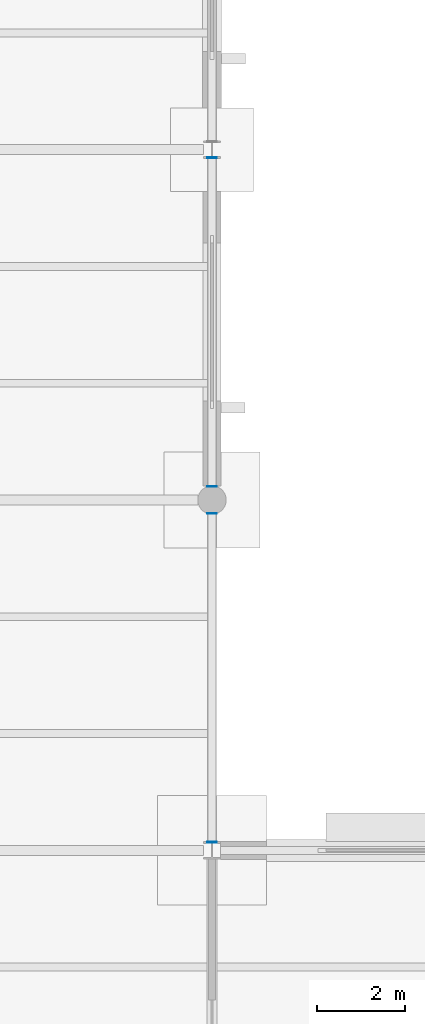
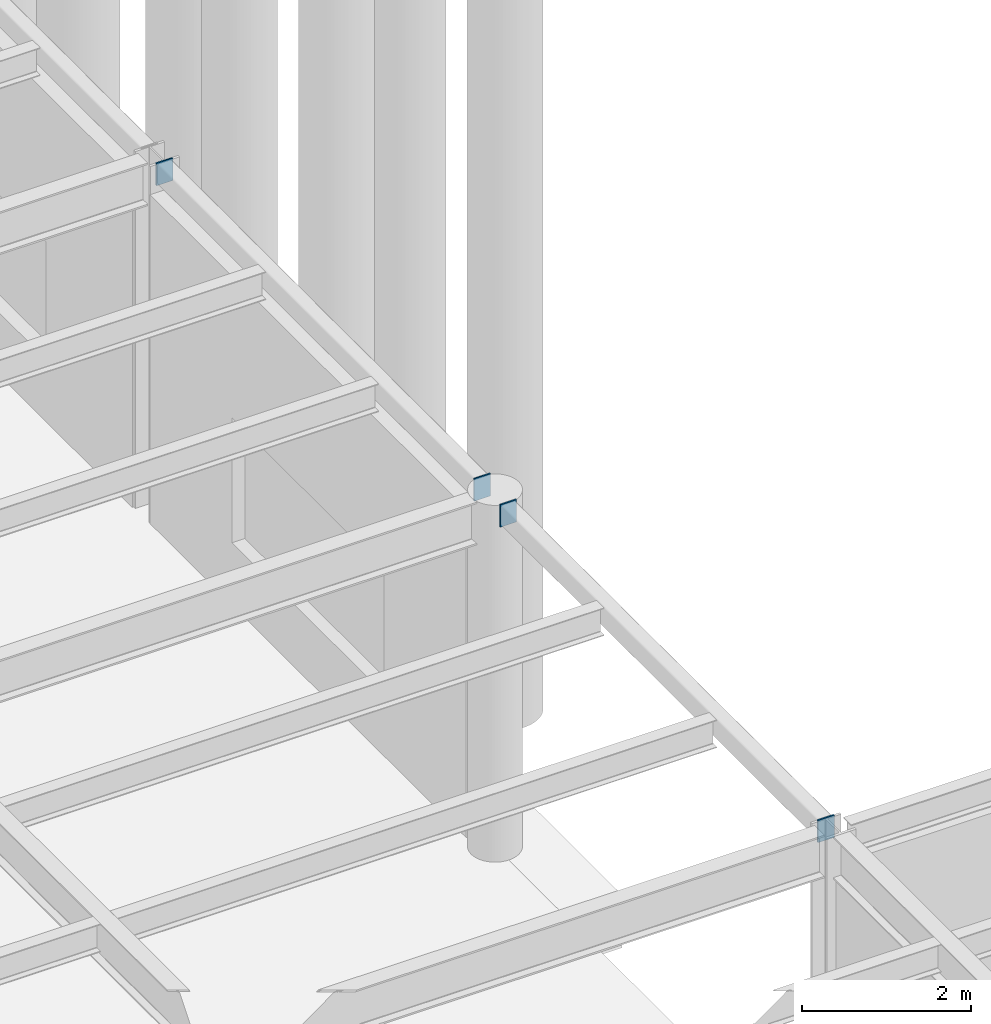
# One storey, part 115 of 138: 4 discrete accessories.
"""IFC4 building model written with IfcOpenShell, lengths in metres."""

from ifc_helpers import new_model, si_unit, direction, frame, origin, origin_2d, place, context, subcontext, project, spatial, rectangle, extrude, material, layer, layer_set, type_object, element, save


model = new_model("IFC4")

# Units and contexts
model_context = context("Model", 3, precision=1e-05, world=origin(), true_north=direction((0.0, 1.0)))
body_context = subcontext(model_context, "Body", "Model", "MODEL_VIEW")
ifc_project = project(units=[si_unit("LENGTHUNIT", "METRE"), si_unit("AREAUNIT", "SQUARE_METRE"), si_unit("VOLUMEUNIT", "CUBIC_METRE"), si_unit("PLANEANGLEUNIT", "RADIAN"), si_unit("MASSUNIT", "GRAM", prefix="KILO")], contexts=[model_context])

# Site, building, storey
site_placement = place(None, origin())
site = spatial("IfcSite", under=ifc_project, at=site_placement, CompositionType="ELEMENT")
building_placement = place(site_placement, origin())
building = spatial("IfcBuilding", under=site, at=building_placement, Name="Kranzveld Transit Interchange", CompositionType="ELEMENT")
storey_placement = place(building_placement, origin())
storey = spatial("IfcBuildingStorey", under=building, at=storey_placement, Name="L00", CompositionType="ELEMENT", Elevation=0.0)

# Discrete accessories
ifc_material = material(Name="Steel S355JR", Category="steel")
ifc_layer = layer(ifc_material, 0.02001953125)
ifc_layer_set = layer_set([ifc_layer], Name="Steel S355JR")
discrete_accessory_type = type_object("IfcDiscreteAccessoryType", Name="Hollow Section End Cap Bracket 20 S355JR", PredefinedType="BRACKET", material=ifc_layer_set)
for number, where, z_axis, x_axis, name in (
    (1, (151.199951171875, 16.19091796875, 5.0), (0.0, -1.0, 0.0), (1.0, 0.0, 0.0), "Hollow Section End Cap SP-RHS300-1"),
    (2, (151.199951171875, 23.680908203125, 5.0), (0.0, 1.0, 0.0), (-1.0, 0.0, 0.0), "Hollow Section End Cap SP-RHS300-2"),
    (3, (151.199951171875, 24.319091796875, 5.0), (0.0, -1.0, 0.0), (1.0, 0.0, 0.0), "Hollow Section End Cap SP-RHS300-1"),
    (4, (151.199951171875, 31.80908203125, 5.0), (0.0, 1.0, 0.0), (-1.0, 0.0, 0.0), "Hollow Section End Cap SP-RHS300-2"),
):
    element("IfcDiscreteAccessory", number, at=place(storey_placement, frame(where, z_axis=z_axis, x_axis=x_axis)), inside=storey, type_object=discrete_accessory_type, Name=name, PredefinedType="BRACKET", context=body_context, shape_type="SweptSolid", body=[
        extrude(rectangle(XDim=0.22412109375, YDim=0.323974609375, at=origin_2d()), origin(), (0.0, 0.0, 1.0), 0.02001953125),
    ])

save(model, "model.ifc")
